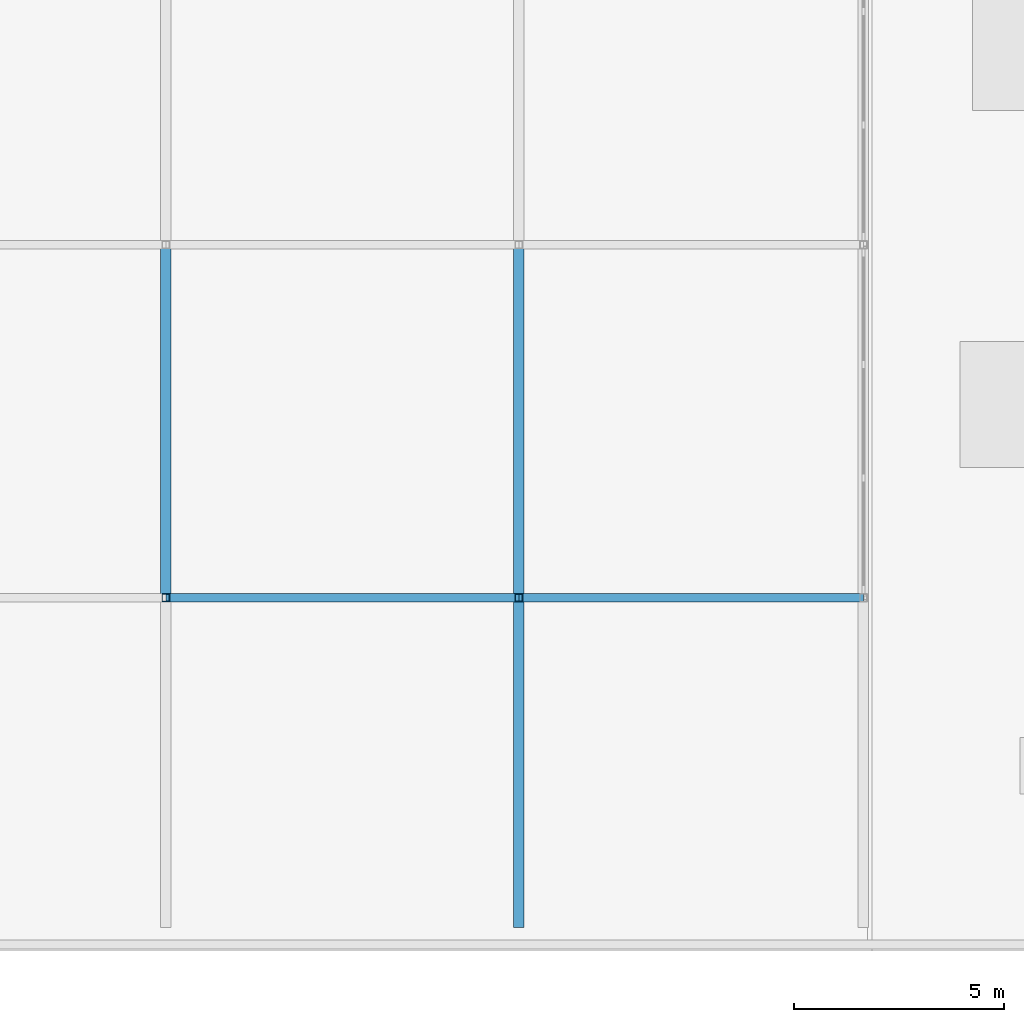
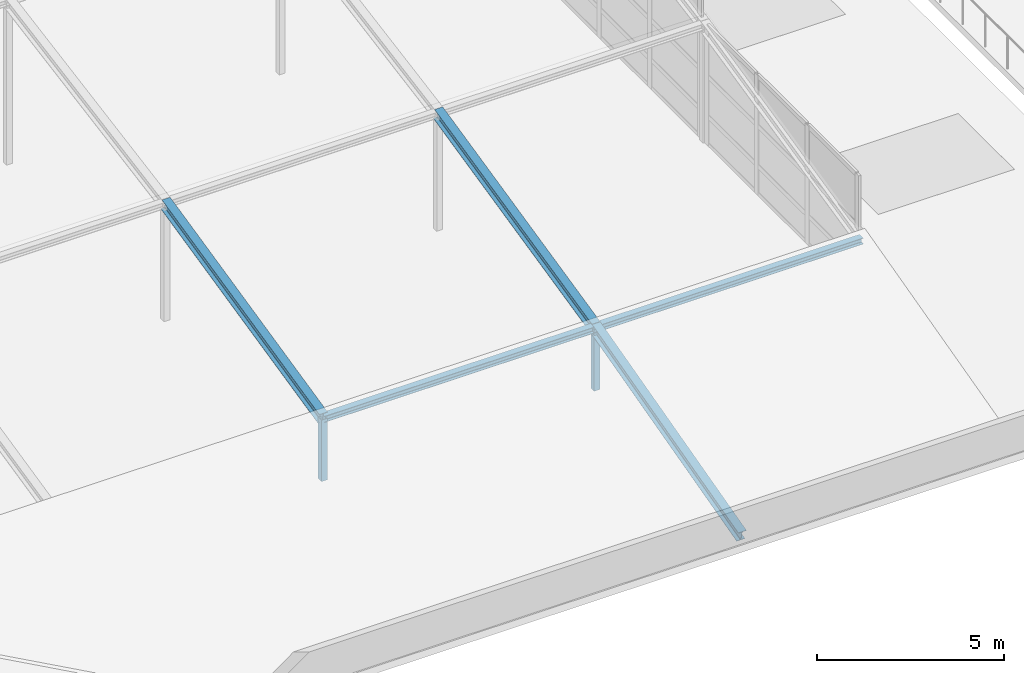
# One storey, part 9 of 34: 7 members.
"""IFC4 building model written with IfcOpenShell, lengths in metres."""

import ifcopenshell
import ifcopenshell.guid

model = None  # the IFC model being written
_history = None  # IfcOwnerHistory: only IFC2X3 demands one
_inside = {}  # id of a spatial element -> (the spatial element, [elements in it])
_under = {}  # id of a project, library or spatial element -> (it, [spatial elements below it])
_declared = {}  # id of a project -> (the project, [libraries it declares])
_typed = {}  # id of a type object -> (the type object, [elements of that type])
_made_of = {}  # id of a material, layer set ... -> (it, [elements and type objects made of it])


def new_model(schema):
    """Start an empty IFC model of exactly this schema.

    Asked for "IFC4X3", IfcOpenShell would pick the latest addendum, in which some entities
    have other attributes; the version numbers below select the first issue.
    IFC2X3 requires an IfcOwnerHistory on every rooted entity: one is made here for all.
    """
    global model, _history
    if schema == "IFC4X3":
        model = ifcopenshell.file(schema_version=(4, 3, 0, 0))
    else:
        model = ifcopenshell.file(schema=schema)
    _inside.clear()
    _under.clear()
    _declared.clear()
    _typed.clear()
    _made_of.clear()
    _history = None
    if model.schema == "IFC2X3":
        org = make("IfcOrganization", Name="unknown")
        user = make(
            "IfcPersonAndOrganization",
            ThePerson=make("IfcPerson", FamilyName="unknown"),
            TheOrganization=org,
        )
        app = make(
            "IfcApplication",
            ApplicationDeveloper=org,
            Version="unknown",
            ApplicationFullName="unknown",
            ApplicationIdentifier="unknown",
        )
        _history = make(
            "IfcOwnerHistory",
            OwningUser=user,
            OwningApplication=app,
            ChangeAction="ADDED",
            CreationDate=0,
        )
    return model


def make(cls, **values):
    """One entity of the class cls with the attributes given. An attribute that is None is left unset."""
    return model.create_entity(
        cls, **{name: value for name, value in values.items() if value is not None}
    )


def rooted(cls, **values):
    """An entity with a GlobalId (a new one), such as an element, a storey or a relation."""
    return make(cls, GlobalId=ifcopenshell.guid.new(), OwnerHistory=_history, **values)


def si_unit(unit_type, name, prefix=None):
    """IfcSIUnit, for example si_unit("LENGTHUNIT", "METRE", prefix="MILLI")."""
    return make("IfcSIUnit", UnitType=unit_type, Prefix=prefix, Name=name)


def assignment(units):
    """IfcUnitAssignment: the units of a project."""
    return None if units is None else make("IfcUnitAssignment", Units=units)


def point(xyz):
    """IfcCartesianPoint."""
    return None if xyz is None else make("IfcCartesianPoint", Coordinates=xyz)


def direction(xyz):
    """IfcDirection."""
    return None if xyz is None else make("IfcDirection", DirectionRatios=xyz)


def frame(location, z_axis=None, x_axis=None):
    """IfcAxis2Placement3D, a coordinate frame: its origin and axes. An axis left out is left unset."""
    return make(
        "IfcAxis2Placement3D",
        Location=point(location),
        Axis=direction(z_axis),
        RefDirection=direction(x_axis),
    )


def frame_2d(location, x_axis=None):
    """IfcAxis2Placement2D, a coordinate frame in the plane: its origin and x axis."""
    return make(
        "IfcAxis2Placement2D", Location=point(location), RefDirection=direction(x_axis)
    )


def origin():
    """The frame at (0, 0, 0) with its axes left unset."""
    return frame((0.0, 0.0, 0.0))


def origin_2d():
    """The frame at (0, 0) in the plane with its x axis left unset."""
    return frame_2d((0.0, 0.0))


def place(relative_to, where):
    """IfcLocalPlacement: puts the frame where relative to a parent placement (None: the world)."""
    return make(
        "IfcLocalPlacement", PlacementRelTo=relative_to, RelativePlacement=where
    )


def context(
    kind, dimensions, precision=None, world=None, true_north=None, identifier=None
):
    """IfcGeometricRepresentationContext, for example the 3D "Model" context."""
    return make(
        "IfcGeometricRepresentationContext",
        ContextIdentifier=identifier,
        ContextType=kind,
        CoordinateSpaceDimension=dimensions,
        Precision=precision,
        WorldCoordinateSystem=world,
        TrueNorth=true_north,
    )


def subcontext(parent, identifier, kind, view, scale=None):
    """IfcGeometricRepresentationSubContext, for example "Body" below "Model"."""
    return make(
        "IfcGeometricRepresentationSubContext",
        ContextIdentifier=identifier,
        ContextType=kind,
        ParentContext=parent,
        TargetScale=scale,
        TargetView=view,
    )


def project(units=None, contexts=None):
    """IfcProject with its units and contexts."""
    return rooted(
        "IfcProject",
        Name="project",
        RepresentationContexts=contexts,
        UnitsInContext=assignment(units),
    )


def spatial(cls, under=None, at=None, **own):
    """A site, building, storey or space (cls), placed at a placement, below another one or the project."""
    s = rooted(cls, ObjectPlacement=at, **own)
    if under is not None:
        _under.setdefault(under.id(), (under, []))[1].append(s)
    return s


def profile(cls, at=None, kind="AREA", **sizes):
    """A parametric profile (cls). Its sizes go by their IFC names, for example OverallWidth=200.0."""
    return make(cls, ProfileType=kind, Position=at, **sizes)


def hollow_rectangle(**sizes):
    """IfcRectangleHollowProfileDef."""
    return profile("IfcRectangleHollowProfileDef", **sizes)


def i_section(**sizes):
    """IfcIShapeProfileDef."""
    return profile("IfcIShapeProfileDef", **sizes)


def extrude(swept, where, along, depth):
    """IfcExtrudedAreaSolid: the profile swept, set in the frame where, extruded along a direction by depth."""
    return make(
        "IfcExtrudedAreaSolid",
        SweptArea=swept,
        Position=where,
        ExtrudedDirection=direction(along),
        Depth=depth,
    )


def shape(context_of_items, identifier, shape_type, items):
    """IfcShapeRepresentation: the items that make up one representation, for example the "Body"."""
    return make(
        "IfcShapeRepresentation",
        ContextOfItems=context_of_items,
        RepresentationIdentifier=identifier,
        RepresentationType=shape_type,
        Items=items,
    )


def material(Name=None, Category=None):
    """IfcMaterial."""
    return make("IfcMaterial", Name=Name, Category=Category)


def material_profile(
    of_material, cross_section, Name=None, Category=None, Priority=None
):
    """IfcMaterialProfile: a cross section and its material."""
    return make(
        "IfcMaterialProfile",
        Name=Name,
        Material=of_material,
        Profile=cross_section,
        Priority=Priority,
        Category=Category,
    )


def profile_set(profiles, Name=None, composite=None):
    """IfcMaterialProfileSet."""
    return make(
        "IfcMaterialProfileSet",
        Name=Name,
        MaterialProfiles=profiles,
        CompositeProfile=composite,
    )


def made_of(thing, what):
    """Note that an element or type object is made of a material, layer set ...; save() writes the relation."""
    if what is not None:
        _made_of.setdefault(what.id(), (what, []))[1].append(thing)
    return thing


def type_object(cls, material=None, **own):
    """A type object (cls), such as IfcWallType, which elements share."""
    return made_of(rooted(cls, **own), material)


def element(
    cls,
    number,
    at=None,
    inside=None,
    cuts=None,
    type_object=None,
    material=None,
    context=None,
    identifier="Body",
    shape_type=None,
    held_by="IfcProductDefinitionShape",
    body=None,
    shapes=None,
    **own,
):
    """One element of the class cls, such as IfcWall. Its Tag is "e" and its number.

    at: its placement. inside: the storey or other place that contains it. cuts: it is an
    opening in that element (IfcRelVoidsElement). A single representation is given by context,
    identifier, shape_type and body (its items); several are given by shapes. held_by: the class
    of the entity that holds the representations. save() writes the other relations.
    """
    e = rooted(cls, Tag="e%d" % number, ObjectPlacement=at, **own)
    if body is not None:
        shapes = [shape(context, identifier, shape_type, body)]
    if shapes is not None:
        e.Representation = make(held_by, Representations=shapes)
    if inside is not None:
        _inside.setdefault(inside.id(), (inside, []))[1].append(e)
    if cuts is not None:
        rooted(
            "IfcRelVoidsElement", RelatingBuildingElement=cuts, RelatedOpeningElement=e
        )
    if type_object is not None:
        _typed.setdefault(type_object.id(), (type_object, []))[1].append(e)
    return made_of(e, material)


def aggregate(whole, parts):
    """IfcRelAggregates: a whole, such as a stair, and the parts it consists of."""
    return rooted("IfcRelAggregates", RelatingObject=whole, RelatedObjects=parts)


def save(model, path):
    """Write the relations noted so far, then the file.

    IfcRelAggregates (storeys below a building ...), IfcRelContainedInSpatialStructure (elements
    in a storey), IfcRelDefinesByType, IfcRelAssociatesMaterial and IfcRelDeclares: one each for
    every whole, place, type object, material and project.
    """
    for whole, parts in _under.values():
        aggregate(whole, parts)
    for where, things in _inside.values():
        rooted(
            "IfcRelContainedInSpatialStructure",
            RelatedElements=things,
            RelatingStructure=where,
        )
    for kind, things in _typed.values():
        rooted("IfcRelDefinesByType", RelatedObjects=things, RelatingType=kind)
    for what, things in _made_of.values():
        rooted("IfcRelAssociatesMaterial", RelatedObjects=things, RelatingMaterial=what)
    for by, libraries in _declared.values():
        rooted("IfcRelDeclares", RelatingContext=by, RelatedDefinitions=libraries)
    model.write(path)


model = new_model("IFC4")

# Units and contexts
model_context = context("Model", 3, precision=1e-05, world=origin(), true_north=direction((0.0, 1.0)))
body_context = subcontext(model_context, "Body", "Model", "MODEL_VIEW")
ifc_project = project(units=[si_unit("LENGTHUNIT", "METRE"), si_unit("AREAUNIT", "SQUARE_METRE"), si_unit("VOLUMEUNIT", "CUBIC_METRE"), si_unit("PLANEANGLEUNIT", "RADIAN"), si_unit("MASSUNIT", "GRAM", prefix="KILO")], contexts=[model_context])

# Site, building, storey
site_placement = place(None, origin())
site = spatial("IfcSite", under=ifc_project, at=site_placement, CompositionType="ELEMENT")
building_placement = place(site_placement, origin())
building = spatial("IfcBuilding", under=site, at=building_placement, Name="Xuanlan Plaza Opera House", CompositionType="ELEMENT")
storey_placement = place(building_placement, frame((0.0, 0.0, 27.89990234375)))
storey = spatial("IfcBuildingStorey", under=building, at=storey_placement, Name="L06", CompositionType="ELEMENT", Elevation=27.89990234375)

# Members
ifc_material = material(Name="Steel Q355B", Category="steel")
ifc_material_profile_1 = material_profile(ifc_material, hollow_rectangle(XDim=0.179931640625, YDim=0.179931640625, WallThickness=0.010009765625, at=origin_2d()), Name="SHS 180x180x10")
ifc_profile_set_1 = profile_set([ifc_material_profile_1], Name="Steel Q355B")
member_type_1 = type_object("IfcMemberType", Name="STR-MEM-ST-M2", PredefinedType="STRUT", material=ifc_profile_set_1)
for number, where, z_axis, x_axis, name in (
    (1, (92.39990234375, 42.0, -0.119873046875), (0.0, 0.0, 1.0), (1.0, 0.0, 0.0), "Auditorium Vault Arch Post 04-1"),
    (2, (100.800048828125, 42.0, -0.119873046875), (0.0, 0.0, 1.0), (1.0, 0.0, 0.0), "Auditorium Vault Arch Post 05-1"),
):
    element("IfcMember", number, at=place(storey_placement, frame(where, z_axis=z_axis, x_axis=x_axis)), inside=storey, type_object=member_type_1, Name=name, PredefinedType="STRUT", context=body_context, shape_type="SweptSolid", body=[
        extrude(hollow_rectangle(XDim=0.179931640625, YDim=0.179931640625, WallThickness=0.010009765625, at=origin_2d()), origin(), (0.0, 0.0, 1.0), 2.0),
    ])
ifc_material_profile_2 = material_profile(ifc_material, i_section(OverallWidth=0.25, OverallDepth=0.340087890625, WebThickness=0.009033203125, FlangeThickness=0.013916015625, FilletRadius=0.01611328125, at=origin_2d()), Name="HM 340x250x9x14")
ifc_profile_set_2 = profile_set([ifc_material_profile_2], Name="Steel Q355B")
member_type_2 = type_object("IfcMemberType", Name="STR-MEM-TC-01", PredefinedType="CHORD", material=ifc_profile_set_2)
member_1_placement = place(storey_placement, frame((92.39990234375, 42.0, 1.880126953125), z_axis=(0.0, 0.975362349764, 0.220608899781), x_axis=(-1.0, 0.0, 0.0)))
element("IfcMember", 3, at=member_1_placement, inside=storey, type_object=member_type_2, Name="Auditorium Parabolic Vault Arch Chord 04-2", PredefinedType="CHORD", context=body_context, shape_type="SweptSolid", body=[
    extrude(i_section(OverallWidth=0.25, OverallDepth=0.340087890625, WebThickness=0.009033203125, FlangeThickness=0.013916015625, FilletRadius=0.01611328125, at=origin_2d()), origin(), (0.0, 0.0, 1.0), 8.612060546875),
])
member_2_placement = place(storey_placement, frame((100.800048828125, 34.199951171875, -0.179931640625), z_axis=(0.0, 0.966847972596, 0.255352693128), x_axis=(-1.0, 0.0, 0.0)))
element("IfcMember", 4, at=member_2_placement, inside=storey, type_object=member_type_2, Name="Auditorium Parabolic Vault Arch Chord 05-1", PredefinedType="CHORD", context=body_context, shape_type="SweptSolid", body=[
    extrude(i_section(OverallWidth=0.25, OverallDepth=0.340087890625, WebThickness=0.009033203125, FlangeThickness=0.013916015625, FilletRadius=0.01611328125, at=origin_2d()), origin(), (0.0, 0.0, 1.0), 8.0673828125),
])
member_3_placement = place(storey_placement, frame((100.800048828125, 42.0, 1.880126953125), z_axis=(0.0, 0.975362349764, 0.220608899781), x_axis=(-1.0, 0.0, 0.0)))
element("IfcMember", 5, at=member_3_placement, inside=storey, type_object=member_type_2, Name="Auditorium Parabolic Vault Arch Chord 05-2", PredefinedType="CHORD", context=body_context, shape_type="SweptSolid", body=[
    extrude(i_section(OverallWidth=0.25, OverallDepth=0.340087890625, WebThickness=0.009033203125, FlangeThickness=0.013916015625, FilletRadius=0.01611328125, at=origin_2d()), origin(), (0.0, 0.0, 1.0), 8.612060546875),
])
ifc_material_profile_3 = material_profile(ifc_material, i_section(OverallWidth=0.199951171875, OverallDepth=0.199951171875, WebThickness=0.008056640625, FlangeThickness=0.011962890625, FilletRadius=0.012939453125, at=origin_2d()), Name="HW 200x200x8x12")
ifc_profile_set_3 = profile_set([ifc_material_profile_3], Name="Steel Q355B")
member_type_3 = type_object("IfcMemberType", Name="STR-MEM-TC-02", PredefinedType="CHORD", material=ifc_profile_set_3)
member_4_placement = place(storey_placement, frame((92.39990234375, 42.0, 1.880126953125), z_axis=(1.0, 0.0, 0.0), x_axis=(0.0, 1.0, 0.0)))
element("IfcMember", 6, at=member_4_placement, inside=storey, type_object=member_type_3, Name="Auditorium Vault Longitudinal Chord 04-1", PredefinedType="CHORD", context=body_context, shape_type="SweptSolid", body=[
    extrude(i_section(OverallWidth=0.199951171875, OverallDepth=0.199951171875, WebThickness=0.008056640625, FlangeThickness=0.011962890625, FilletRadius=0.012939453125, at=origin_2d()), origin(), (0.0, 0.0, 1.0), 8.400146484375),
])
member_5_placement = place(storey_placement, frame((100.800048828125, 42.0, 1.880126953125), z_axis=(1.0, 0.0, 0.0), x_axis=(0.0, 1.0, 0.0)))
element("IfcMember", 7, at=member_5_placement, inside=storey, type_object=member_type_3, Name="Auditorium Vault Longitudinal Chord 05-1", PredefinedType="CHORD", context=body_context, shape_type="SweptSolid", body=[
    extrude(i_section(OverallWidth=0.199951171875, OverallDepth=0.199951171875, WebThickness=0.008056640625, FlangeThickness=0.011962890625, FilletRadius=0.012939453125, at=origin_2d()), origin(), (0.0, 0.0, 1.0), 8.199951171875),
])

save(model, "model.ifc")
